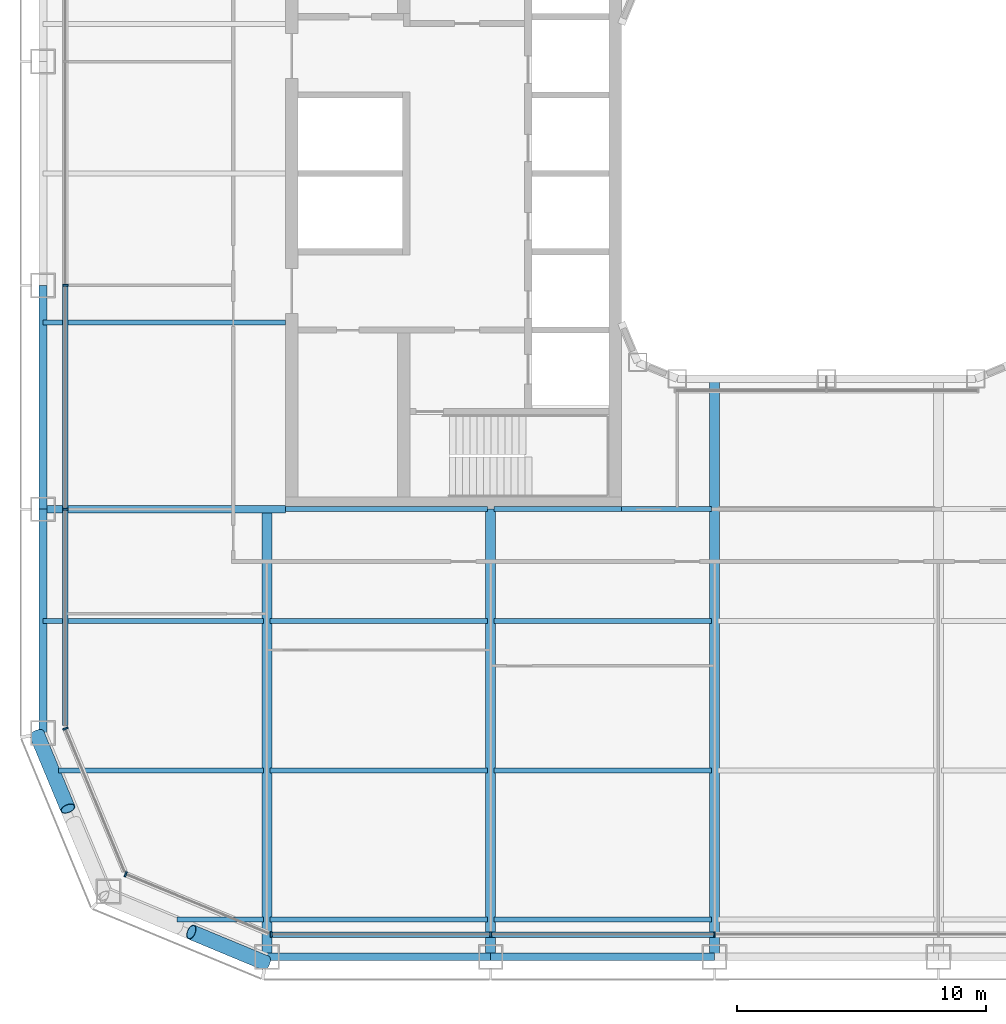
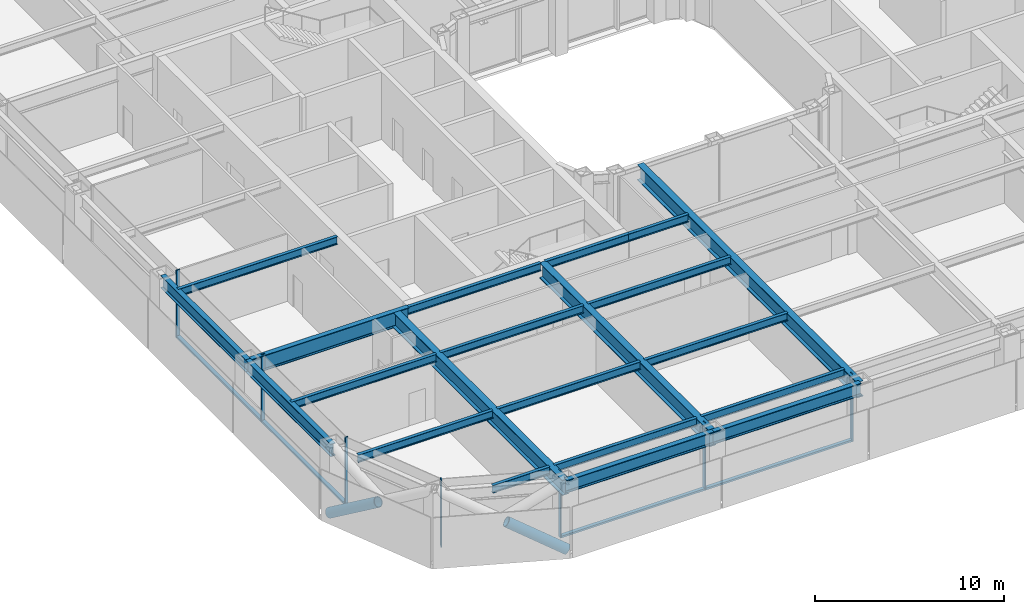
# One storey, part 2 of 25: 21 beams, 13 members, 4 elements without a shape of their own.
"""IFC4 building model written with IfcOpenShell, lengths in metres."""

from ifc_helpers import new_model, si_unit, direction, frame, origin, origin_2d, place, context, subcontext, project, spatial, rectangle, hollow_circle, i_section, extrude, material, layer, layer_set, material_profile, profile_set, type_object, element, aggregate, save


model = new_model("IFC4")

# Units and contexts
model_context = context("Model", 3, precision=1e-05, world=origin(), true_north=direction((0.0, 1.0)))
body_context = subcontext(model_context, "Body", "Model", "MODEL_VIEW")
ifc_project = project(units=[si_unit("LENGTHUNIT", "METRE"), si_unit("AREAUNIT", "SQUARE_METRE"), si_unit("VOLUMEUNIT", "CUBIC_METRE"), si_unit("PLANEANGLEUNIT", "RADIAN"), si_unit("MASSUNIT", "GRAM", prefix="KILO")], contexts=[model_context])

# Site, building, storey
site_placement = place(None, origin())
site = spatial("IfcSite", under=ifc_project, at=site_placement, CompositionType="ELEMENT")
building_placement = place(site_placement, origin())
building = spatial("IfcBuilding", under=site, at=building_placement, Name="Siwar Civic Tower", CompositionType="ELEMENT")
storey_placement = place(building_placement, frame((0.0, 0.0, 58.199951171875)))
storey = spatial("IfcBuildingStorey", under=building, at=storey_placement, Name="L12", CompositionType="ELEMENT", Elevation=58.199951171875)

# Curtain wall, members
ifc_material_1 = material(Name="Aluminium and glass", Category="aluminium")
ifc_layer_1 = layer(ifc_material_1, 0.219970703125)
ifc_layer_set_1 = layer_set([ifc_layer_1], Name="Aluminium and glass")
curtain_wall_type_1 = type_object("IfcCurtainWallType", Name="ENV-CW-A", PredefinedType="NOTDEFINED", material=ifc_layer_set_1)
curtain_wall_1_placement = place(storey_placement, origin())
curtain_wall_1 = element("IfcCurtainWall", 1, at=curtain_wall_1_placement, inside=storey, type_object=curtain_wall_type_1, Name="Curtain wall A S", PredefinedType="NOTDEFINED")
ifc_material_2 = material(Name="Aluminium 6063-T6", Category="aluminium")
ifc_material_profile_1 = material_profile(ifc_material_2, rectangle(XDim=0.219970703125, YDim=0.070068359375, at=origin_2d()), Name="AL 220x70")
ifc_profile_set_1 = profile_set([ifc_material_profile_1], Name="Aluminium 6063-T6")
member_type_1 = type_object("IfcMemberType", Name="ENV-MULLION-A", PredefinedType="MULLION", material=ifc_profile_set_1)
member_1_placement = place(storey_placement, frame((-22.321044921875, -30.60009765625, 0.0), z_axis=(0.0, 0.0, 1.0), x_axis=(0.0, 1.0, 0.0)))
member_1 = element("IfcMember", 2, at=member_1_placement, type_object=member_type_1, Name="Mullion A S 1", PredefinedType="MULLION", context=body_context, shape_type="SweptSolid", body=[
    extrude(rectangle(XDim=0.219970703125, YDim=0.070068359375, at=origin_2d()), origin(), (0.0, 0.0, 1.0), 4.35009765625),
])
member_2_placement = place(storey_placement, frame((-13.5, -30.60009765625, 0.0), z_axis=(0.0, 0.0, 1.0), x_axis=(0.0, 1.0, 0.0)))
member_2 = element("IfcMember", 3, at=member_2_placement, type_object=member_type_1, Name="Mullion A S 2", PredefinedType="MULLION", context=body_context, shape_type="SweptSolid", body=[
    extrude(rectangle(XDim=0.219970703125, YDim=0.070068359375, at=origin_2d()), origin(), (0.0, 0.0, 1.0), 4.35009765625),
])
member_3_placement = place(storey_placement, frame((-4.5, -30.60009765625, 0.0), z_axis=(0.0, 0.0, 1.0), x_axis=(0.0, 1.0, 0.0)))
member_3 = element("IfcMember", 4, at=member_3_placement, type_object=member_type_1, Name="Mullion A S 3", PredefinedType="MULLION", context=body_context, shape_type="SweptSolid", body=[
    extrude(rectangle(XDim=0.219970703125, YDim=0.070068359375, at=origin_2d()), origin(), (0.0, 0.0, 1.0), 4.35009765625),
])

curtain_wall_2_placement = place(storey_placement, origin())
curtain_wall_2 = element("IfcCurtainWall", 5, at=curtain_wall_2_placement, inside=storey, type_object=curtain_wall_type_1, Name="Curtain wall A W", PredefinedType="NOTDEFINED")
member_4_placement = place(storey_placement, frame((-30.60009765625, -4.5, 0.0), z_axis=(0.0, 0.0, 1.0), x_axis=(1.0, 0.0, 0.0)))
member_4 = element("IfcMember", 6, at=member_4_placement, type_object=member_type_1, Name="Mullion A W 4", PredefinedType="MULLION", context=body_context, shape_type="SweptSolid", body=[
    extrude(rectangle(XDim=0.219970703125, YDim=0.070068359375, at=origin_2d()), origin(), (0.0, 0.0, 1.0), 4.35009765625),
])
member_5_placement = place(storey_placement, frame((-30.60009765625, -13.5, 0.0), z_axis=(0.0, 0.0, 1.0), x_axis=(1.0, 0.0, 0.0)))
member_5 = element("IfcMember", 7, at=member_5_placement, type_object=member_type_1, Name="Mullion A W 5", PredefinedType="MULLION", context=body_context, shape_type="SweptSolid", body=[
    extrude(rectangle(XDim=0.219970703125, YDim=0.070068359375, at=origin_2d()), origin(), (0.0, 0.0, 1.0), 4.35009765625),
])

# Curtain wall, member
ifc_material_3 = material(Name="Aluminium clad insulated panel", Category="aluminium")
ifc_layer_2 = layer(ifc_material_3, 0.219970703125)
ifc_layer_set_2 = layer_set([ifc_layer_2], Name="Aluminium clad insulated panel")
curtain_wall_type_2 = type_object("IfcCurtainWallType", Name="ENV-CW-AX", PredefinedType="NOTDEFINED", material=ifc_layer_set_2)
curtain_wall_3_placement = place(storey_placement, origin())
curtain_wall_3 = element("IfcCurtainWall", 8, at=curtain_wall_3_placement, inside=storey, type_object=curtain_wall_type_2, Name="Curtain wall A SW1", PredefinedType="NOTDEFINED")
member_6_placement = place(storey_placement, frame((-30.60009765625, -22.321044921875, 0.0), z_axis=(0.0, 0.0, 1.0), x_axis=(0.923879532511, 0.382683432365, 0.0)))
member_6 = element("IfcMember", 9, at=member_6_placement, type_object=member_type_1, Name="Mullion A SW1 1", PredefinedType="MULLION", context=body_context, shape_type="SweptSolid", body=[
    extrude(rectangle(XDim=0.219970703125, YDim=0.070068359375, at=origin_2d()), origin(), (0.0, 0.0, 1.0), 4.35009765625),
])
aggregate(curtain_wall_3, [member_6])

curtain_wall_4_placement = place(storey_placement, origin())
curtain_wall_4 = element("IfcCurtainWall", 10, at=curtain_wall_4_placement, inside=storey, type_object=curtain_wall_type_2, Name="Curtain wall A SW2", PredefinedType="NOTDEFINED")
member_7_placement = place(storey_placement, frame((-28.175048828125, -28.175048828125, 0.0), z_axis=(0.0, 0.0, 1.0), x_axis=(0.382683432365, 0.923879532511, 0.0)))
member_7 = element("IfcMember", 11, at=member_7_placement, type_object=member_type_1, Name="Mullion A SW2 1", PredefinedType="MULLION", context=body_context, shape_type="SweptSolid", body=[
    extrude(rectangle(XDim=0.219970703125, YDim=0.070068359375, at=origin_2d()), origin(), (0.0, 0.0, 1.0), 4.35009765625),
])
aggregate(curtain_wall_4, [member_7])

# Member
ifc_material_4 = material(Name="Aluminium 6063-T6", Category="aluminium")
ifc_material_profile_2 = material_profile(ifc_material_4, rectangle(XDim=0.219970703125, YDim=0.1201171875, at=origin_2d()), Name="AL 220x120")
ifc_profile_set_2 = profile_set([ifc_material_profile_2], Name="Aluminium 6063-T6")
member_type_2 = type_object("IfcMemberType", Name="ENV-TRANSOM-A", PredefinedType="USERDEFINED", material=ifc_profile_set_2)
member_8_placement = place(storey_placement, frame((-22.285888671875, -30.60009765625, 0.06005859375), z_axis=(1.0, 0.0, 0.0), x_axis=(0.0, 1.0, 0.0)))
member_8 = element("IfcMember", 12, at=member_8_placement, type_object=member_type_2, Name="Transom A S 1", ObjectType="TRANSOM", PredefinedType="USERDEFINED", context=body_context, shape_type="SweptSolid", body=[
    extrude(rectangle(XDim=0.219970703125, YDim=0.1201171875, at=origin_2d()), origin(), (0.0, 0.0, 1.0), 8.7509765625),
])

member_9_placement = place(storey_placement, frame((-13.465087890625, -30.60009765625, 0.06005859375), z_axis=(1.0, 0.0, 0.0), x_axis=(0.0, 1.0, 0.0)))
member_9 = element("IfcMember", 13, at=member_9_placement, type_object=member_type_2, Name="Transom A S 2", ObjectType="TRANSOM", PredefinedType="USERDEFINED", context=body_context, shape_type="SweptSolid", body=[
    extrude(rectangle(XDim=0.219970703125, YDim=0.1201171875, at=origin_2d()), origin(), (0.0, 0.0, 1.0), 8.93017578125),
])

aggregate(curtain_wall_1, [member_1, member_2, member_3, member_8, member_9])

member_10_placement = place(storey_placement, frame((-30.60009765625, -4.534912109375, 0.06005859375), z_axis=(0.0, -1.0, 0.0), x_axis=(1.0, 0.0, 0.0)))
member_10 = element("IfcMember", 14, at=member_10_placement, type_object=member_type_2, Name="Transom A W 4", ObjectType="TRANSOM", PredefinedType="USERDEFINED", context=body_context, shape_type="SweptSolid", body=[
    extrude(rectangle(XDim=0.219970703125, YDim=0.1201171875, at=origin_2d()), origin(), (0.0, 0.0, 1.0), 8.93017578125),
])

member_11_placement = place(storey_placement, frame((-30.60009765625, -13.534912109375, 0.06005859375), z_axis=(0.0, -1.0, 0.0), x_axis=(1.0, 0.0, 0.0)))
member_11 = element("IfcMember", 15, at=member_11_placement, type_object=member_type_2, Name="Transom A W 5", ObjectType="TRANSOM", PredefinedType="USERDEFINED", context=body_context, shape_type="SweptSolid", body=[
    extrude(rectangle(XDim=0.219970703125, YDim=0.1201171875, at=origin_2d()), origin(), (0.0, 0.0, 1.0), 8.66357421875),
])

aggregate(curtain_wall_2, [member_4, member_5, member_10, member_11])

# Members
ifc_material_5 = material(Name="Steel S355", Category="steel")
ifc_material_profile_3 = material_profile(ifc_material_5, hollow_circle(Radius=0.304931640625, WallThickness=0.030029296875, at=origin_2d()), Name="CHS610x30")
ifc_profile_set_3 = profile_set([ifc_material_profile_3], Name="Steel S355")
member_type_3 = type_object("IfcMemberType", Name="STR-BR-CHS610x30", PredefinedType="BRACE", material=ifc_profile_set_3)
for number, where, z_axis, x_axis, name in (
    (16, (-22.548828125, -31.7451171875, 0.0), (-0.777533059308, 0.323882123145, 0.539020140617), (-0.384524353215, -0.923114847559, 0.0), "L12/brc/ASW1-11-0-2"),
    (17, (-31.7451171875, -22.548828125, 0.0), (0.323882123145, -0.777533059308, 0.539020140617), (0.923114847559, 0.384524353215, 0.0), "L12/brc/ASW1-11-0-4"),
):
    element("IfcMember", number, at=place(storey_placement, frame(where, z_axis=z_axis, x_axis=x_axis)), inside=storey, type_object=member_type_3, Name=name, PredefinedType="BRACE", context=body_context, shape_type="SweptSolid", body=[
        extrude(hollow_circle(Radius=0.304931640625, WallThickness=0.030029296875, at=origin_2d()), origin(), (0.0, 0.0, 1.0), 3.843505859375),
    ])

# Beams
ifc_material_6 = material(Name="Steel S355", Category="steel")
ifc_material_profile_4 = material_profile(ifc_material_6, i_section(OverallWidth=0.199951171875, OverallDepth=0.5, WebThickness=0.01025390625, FlangeThickness=0.01611328125, FilletRadius=0.02099609375, at=origin_2d()), Name="IPE500")
ifc_profile_set_4 = profile_set([ifc_material_profile_4], Name="Steel S355")
beam_type_1 = type_object("IfcBeamType", Name="STR-FB-IPE500", PredefinedType="JOIST", material=ifc_profile_set_4)
beam_1_placement = place(storey_placement, frame((-26.121337890625, -30.0, 4.10009765625), z_axis=(1.0, 0.0, 0.0), x_axis=(0.0, 1.0, 0.0)))
element("IfcBeam", 18, at=beam_1_placement, inside=storey, type_object=beam_type_1, Name="L12/bm/F001", PredefinedType="JOIST", context=body_context, shape_type="SweptSolid", body=[
    extrude(i_section(OverallWidth=0.199951171875, OverallDepth=0.5, WebThickness=0.01025390625, FlangeThickness=0.01611328125, FilletRadius=0.02099609375, at=origin_2d()), origin(), (0.0, 0.0, 1.0), 3.491455078125),
])
for number, where, z_axis, x_axis, name in (
    (19, (-22.3701171875, -30.0, 4.10009765625), (1.0, 0.0, 0.0), (0.0, 1.0, 0.0), "L12/bm/F002"),
    (20, (-13.3701171875, -30.0, 4.10009765625), (1.0, 0.0, 0.0), (0.0, 1.0, 0.0), "L12/bm/F003"),
):
    element("IfcBeam", number, at=place(storey_placement, frame(where, z_axis=z_axis, x_axis=x_axis)), inside=storey, type_object=beam_type_1, Name=name, PredefinedType="JOIST", context=body_context, shape_type="SweptSolid", body=[
        extrude(i_section(OverallWidth=0.199951171875, OverallDepth=0.5, WebThickness=0.01025390625, FlangeThickness=0.01611328125, FilletRadius=0.02099609375, at=origin_2d()), origin(), (0.0, 0.0, 1.0), 8.740234375),
    ])
beam_2_placement = place(storey_placement, frame((-30.878662109375, -24.0, 4.10009765625), z_axis=(1.0, 0.0, 0.0), x_axis=(0.0, 1.0, 0.0)))
element("IfcBeam", 21, at=beam_2_placement, inside=storey, type_object=beam_type_1, Name="L12/bm/F008", PredefinedType="JOIST", context=body_context, shape_type="SweptSolid", body=[
    extrude(i_section(OverallWidth=0.199951171875, OverallDepth=0.5, WebThickness=0.01025390625, FlangeThickness=0.01611328125, FilletRadius=0.02099609375, at=origin_2d()), origin(), (0.0, 0.0, 1.0), 8.248779296875),
])
for number, where, z_axis, x_axis, name in (
    (22, (-22.3701171875, -24.0, 4.10009765625), (1.0, 0.0, 0.0), (0.0, 1.0, 0.0), "L12/bm/F009"),
    (23, (-13.3701171875, -24.0, 4.10009765625), (1.0, 0.0, 0.0), (0.0, 1.0, 0.0), "L12/bm/F010"),
):
    element("IfcBeam", number, at=place(storey_placement, frame(where, z_axis=z_axis, x_axis=x_axis)), inside=storey, type_object=beam_type_1, Name=name, PredefinedType="JOIST", context=body_context, shape_type="SweptSolid", body=[
        extrude(i_section(OverallWidth=0.199951171875, OverallDepth=0.5, WebThickness=0.01025390625, FlangeThickness=0.01611328125, FilletRadius=0.02099609375, at=origin_2d()), origin(), (0.0, 0.0, 1.0), 8.740234375),
    ])
beam_3_placement = place(storey_placement, frame((-31.5, -18.0, 4.10009765625), z_axis=(1.0, 0.0, 0.0), x_axis=(0.0, 1.0, 0.0)))
element("IfcBeam", 24, at=beam_3_placement, inside=storey, type_object=beam_type_1, Name="L12/bm/F015", PredefinedType="JOIST", context=body_context, shape_type="SweptSolid", body=[
    extrude(i_section(OverallWidth=0.199951171875, OverallDepth=0.5, WebThickness=0.01025390625, FlangeThickness=0.01611328125, FilletRadius=0.02099609375, at=origin_2d()), origin(), (0.0, 0.0, 1.0), 8.8701171875),
])
for number, where, z_axis, x_axis, name in (
    (25, (-22.3701171875, -18.0, 4.10009765625), (1.0, 0.0, 0.0), (0.0, 1.0, 0.0), "L12/bm/F016"),
    (26, (-13.3701171875, -18.0, 4.10009765625), (1.0, 0.0, 0.0), (0.0, 1.0, 0.0), "L12/bm/F017"),
):
    element("IfcBeam", number, at=place(storey_placement, frame(where, z_axis=z_axis, x_axis=x_axis)), inside=storey, type_object=beam_type_1, Name=name, PredefinedType="JOIST", context=body_context, shape_type="SweptSolid", body=[
        extrude(i_section(OverallWidth=0.199951171875, OverallDepth=0.5, WebThickness=0.01025390625, FlangeThickness=0.01611328125, FilletRadius=0.02099609375, at=origin_2d()), origin(), (0.0, 0.0, 1.0), 8.740234375),
    ])
beam_4_placement = place(storey_placement, frame((-21.75, -13.5, 4.10009765625), z_axis=(1.0, 0.0, 0.0), x_axis=(0.0, 1.0, 0.0)))
element("IfcBeam", 27, at=beam_4_placement, inside=storey, type_object=beam_type_1, Name="L12/bm/F023", PredefinedType="JOIST", context=body_context, shape_type="SweptSolid", body=[
    extrude(i_section(OverallWidth=0.199951171875, OverallDepth=0.5, WebThickness=0.01025390625, FlangeThickness=0.01611328125, FilletRadius=0.02099609375, at=origin_2d()), origin(), (0.0, 0.0, 1.0), 8.1201171875),
])
beam_5_placement = place(storey_placement, frame((-13.3701171875, -13.5, 4.10009765625), z_axis=(1.0, 0.0, 0.0), x_axis=(0.0, 1.0, 0.0)))
element("IfcBeam", 28, at=beam_5_placement, inside=storey, type_object=beam_type_1, Name="L12/bm/F024", PredefinedType="JOIST", context=body_context, shape_type="SweptSolid", body=[
    extrude(i_section(OverallWidth=0.199951171875, OverallDepth=0.5, WebThickness=0.01025390625, FlangeThickness=0.01611328125, FilletRadius=0.02099609375, at=origin_2d()), origin(), (0.0, 0.0, 1.0), 5.1201171875),
])
beam_6_placement = place(storey_placement, frame((-8.25, -13.5, 4.10009765625), z_axis=(1.0, 0.0, 0.0), x_axis=(0.0, 1.0, 0.0)))
element("IfcBeam", 29, at=beam_6_placement, inside=storey, type_object=beam_type_1, Name="L12/bm/F025", PredefinedType="JOIST", context=body_context, shape_type="SweptSolid", body=[
    extrude(i_section(OverallWidth=0.199951171875, OverallDepth=0.5, WebThickness=0.01025390625, FlangeThickness=0.01611328125, FilletRadius=0.02099609375, at=origin_2d()), origin(), (0.0, 0.0, 1.0), 3.6201171875),
])
beam_7_placement = place(storey_placement, frame((-31.5, -6.0, 4.10009765625), z_axis=(1.0, 0.0, 0.0), x_axis=(0.0, 1.0, 0.0)))
element("IfcBeam", 30, at=beam_7_placement, inside=storey, type_object=beam_type_1, Name="L12/bm/F031", PredefinedType="JOIST", context=body_context, shape_type="SweptSolid", body=[
    extrude(i_section(OverallWidth=0.199951171875, OverallDepth=0.5, WebThickness=0.01025390625, FlangeThickness=0.01611328125, FilletRadius=0.02099609375, at=origin_2d()), origin(), (0.0, 0.0, 1.0), 9.75),
])
ifc_material_7 = material(Name="Steel S355", Category="steel")
ifc_material_profile_5 = material_profile(ifc_material_7, i_section(OverallWidth=0.300048828125, OverallDepth=1.0, WebThickness=0.01904296875, FlangeThickness=0.035888671875, FilletRadius=0.030029296875, at=origin_2d()), Name="HEB1000")
ifc_profile_set_5 = profile_set([ifc_material_profile_5], Name="Steel S355")
beam_type_2 = type_object("IfcBeamType", Name="STR-PG-HEB1000", PredefinedType="BEAM", material=ifc_profile_set_5)
beam_8_placement = place(storey_placement, frame((-31.5, -13.5, 3.85009765625), z_axis=(1.0, 0.0, 0.0), x_axis=(0.0, 1.0, 0.0)))
element("IfcBeam", 31, at=beam_8_placement, inside=storey, type_object=beam_type_2, Name="L12/bm/F022", PredefinedType="BEAM", context=body_context, shape_type="SweptSolid", body=[
    extrude(i_section(OverallWidth=0.300048828125, OverallDepth=1.0, WebThickness=0.01904296875, FlangeThickness=0.035888671875, FilletRadius=0.030029296875, at=origin_2d()), origin(), (0.0, 0.0, 1.0), 9.75),
])
ifc_material_8 = material(Name="Steel S355", Category="steel")
ifc_material_profile_6 = material_profile(ifc_material_8, i_section(OverallWidth=0.39990234375, OverallDepth=1.0, WebThickness=0.01611328125, FlangeThickness=0.0400390625, at=origin_2d()), Name="PG1000x400x16x40")
ifc_profile_set_6 = profile_set([ifc_material_profile_6], Name="Steel S355")
beam_type_3 = type_object("IfcBeamType", Name="STR-PG-PG1000x400x16x40", PredefinedType="BEAM", material=ifc_profile_set_6)
for number, where, z_axis, x_axis, name in (
    (32, (-22.5, -31.5, 3.85009765625), (0.0, 1.0, 0.0), (-1.0, 0.0, 0.0), "L12/bm/G01"),
    (33, (-13.5, -31.5, 3.85009765625), (0.0, 1.0, 0.0), (-1.0, 0.0, 0.0), "L12/bm/G03"),
):
    element("IfcBeam", number, at=place(storey_placement, frame(where, z_axis=z_axis, x_axis=x_axis)), inside=storey, type_object=beam_type_3, Name=name, PredefinedType="BEAM", context=body_context, shape_type="SweptSolid", body=[
        extrude(i_section(OverallWidth=0.39990234375, OverallDepth=1.0, WebThickness=0.01611328125, FlangeThickness=0.0400390625, at=origin_2d()), origin(), (0.0, 0.0, 1.0), 18.0),
    ])
beam_9_placement = place(storey_placement, frame((-4.5, -31.5, 3.85009765625), z_axis=(0.0, 1.0, 0.0), x_axis=(-1.0, 0.0, 0.0)))
element("IfcBeam", 34, at=beam_9_placement, inside=storey, type_object=beam_type_3, Name="L12/bm/G05", PredefinedType="BEAM", context=body_context, shape_type="SweptSolid", body=[
    extrude(i_section(OverallWidth=0.39990234375, OverallDepth=1.0, WebThickness=0.01611328125, FlangeThickness=0.0400390625, at=origin_2d()), origin(), (0.0, 0.0, 1.0), 23.25),
])
ifc_material_9 = material(Name="Steel S355", Category="steel")
ifc_material_profile_7 = material_profile(ifc_material_9, i_section(OverallWidth=0.302978515625, OverallDepth=0.81396484375, WebThickness=0.02099609375, FlangeThickness=0.0400390625, FilletRadius=0.030029296875, at=origin_2d()), Name="HEM800")
ifc_profile_set_7 = profile_set([ifc_material_profile_7], Name="Steel S355")
beam_type_4 = type_object("IfcBeamType", Name="STR-SB-HEM800", PredefinedType="BEAM", material=ifc_profile_set_7)
for number, where, z_axis, x_axis, name in (
    (35, (-22.5, -31.5, 3.943115234375), (1.0, 0.0, 0.0), (0.0, 1.0, 0.0), "L12/bm/SS-0"),
    (36, (-13.5, -31.5, 3.943115234375), (1.0, 0.0, 0.0), (0.0, 1.0, 0.0), "L12/bm/SS-1"),
    (37, (-31.5, -4.5, 3.943115234375), (0.0, -1.0, 0.0), (1.0, 0.0, 0.0), "L12/bm/SW-3"),
    (38, (-31.5, -13.5, 3.943115234375), (0.0, -1.0, 0.0), (1.0, 0.0, 0.0), "L12/bm/SW-4"),
):
    element("IfcBeam", number, at=place(storey_placement, frame(where, z_axis=z_axis, x_axis=x_axis)), inside=storey, type_object=beam_type_4, Name=name, PredefinedType="BEAM", context=body_context, shape_type="SweptSolid", body=[
        extrude(i_section(OverallWidth=0.302978515625, OverallDepth=0.81396484375, WebThickness=0.02099609375, FlangeThickness=0.0400390625, FilletRadius=0.030029296875, at=origin_2d()), origin(), (0.0, 0.0, 1.0), 9.0),
    ])

save(model, "model.ifc")
